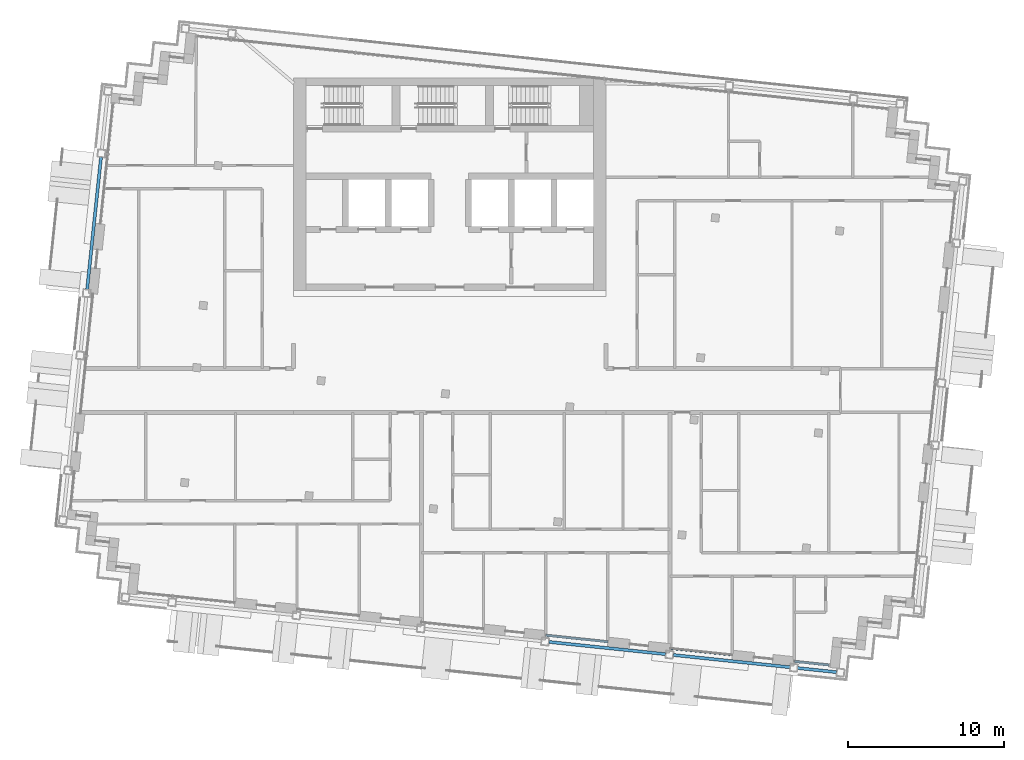
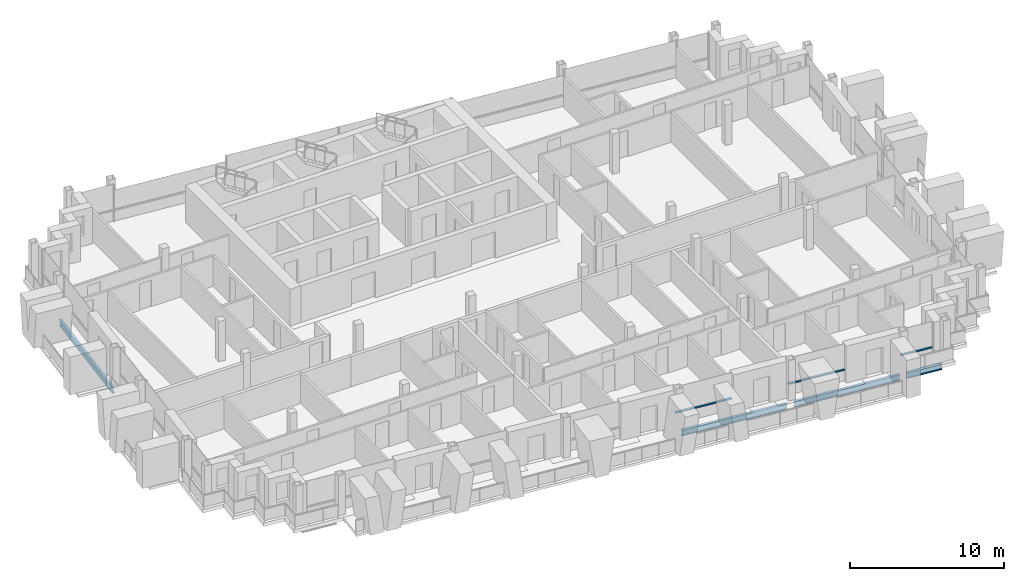
# One storey, part 3 of 17: 4 beams, 3 members, 3 elements without a shape of their own.
"""IFC4 building model written with IfcOpenShell, lengths in metres."""

from ifc_helpers import new_model, si_unit, direction, frame, origin, origin_2d, place, context, subcontext, project, spatial, rectangle, i_section, extrude, material, material_profile, profile_set, type_object, element, aggregate, save


model = new_model("IFC4")

# Units and contexts
model_context = context("Model", 3, precision=1e-05, world=origin(), true_north=direction((0.0, 1.0)))
body_context = subcontext(model_context, "Body", "Model", "MODEL_VIEW")
ifc_project = project(units=[si_unit("LENGTHUNIT", "METRE"), si_unit("AREAUNIT", "SQUARE_METRE"), si_unit("VOLUMEUNIT", "CUBIC_METRE"), si_unit("PLANEANGLEUNIT", "RADIAN"), si_unit("MASSUNIT", "GRAM", prefix="KILO")], contexts=[model_context])

# Site, building, storey
site_placement = place(None, origin())
site = spatial("IfcSite", under=ifc_project, at=site_placement, CompositionType="ELEMENT")
building_placement = place(site_placement, origin())
building = spatial("IfcBuilding", under=site, at=building_placement, Name="Vidyagriha Tower", CompositionType="ELEMENT")
storey_placement = place(building_placement, frame((0.0, 0.0, 269.10009765625)))
storey = spatial("IfcBuildingStorey", under=building, at=storey_placement, Name="L70", CompositionType="ELEMENT", Elevation=269.10009765625)

# Beams
ifc_material_1 = material(Name="Steel ASTM A992 Grade 50", Category="steel")
ifc_material_profile_1 = material_profile(ifc_material_1, i_section(OverallWidth=0.19189453125, OverallDepth=0.46240234375, WebThickness=0.010498046875, FlangeThickness=0.017578125, at=origin_2d()), Name="W18X60")
ifc_profile_set_1 = profile_set([ifc_material_profile_1], Name="Steel ASTM A992 Grade 50")
beam_type = type_object("IfcBeamType", Name="Edge beam W18X60", PredefinedType="SPANDREL", material=ifc_profile_set_1)
for number, where, z_axis, x_axis, name in (
    (1, (6.3486328125, -16.091064453125, -0.51123046875), (0.994522384662, -0.104523807841, 0.0), (0.104523807841, 0.994522384662, 0.0), "st-beam-L70-S05"),
    (2, (14.304931640625, -16.92724609375, -0.51123046875), (0.994522384662, -0.104523807841, 0.0), (0.104523807841, 0.994522384662, 0.0), "st-beam-L70-S06"),
):
    element("IfcBeam", number, at=place(storey_placement, frame(where, z_axis=z_axis, x_axis=x_axis)), inside=storey, type_object=beam_type, Name=name, PredefinedType="SPANDREL", context=body_context, shape_type="SweptSolid", body=[
        extrude(i_section(OverallWidth=0.19189453125, OverallDepth=0.46240234375, WebThickness=0.010498046875, FlangeThickness=0.017578125, at=origin_2d()), origin(), (0.0, 0.0, 1.0), 7.5),
    ])
beam_1_placement = place(storey_placement, frame((22.260986328125, -17.763427734375, -0.51123046875), z_axis=(0.994515615024, -0.104588199498, 0.0), x_axis=(0.104588199498, 0.994515615024, 0.0)))
element("IfcBeam", 3, at=beam_1_placement, inside=storey, type_object=beam_type, Name="st-beam-L70-S07", PredefinedType="SPANDREL", context=body_context, shape_type="SweptSolid", body=[
    extrude(i_section(OverallWidth=0.19189453125, OverallDepth=0.46240234375, WebThickness=0.010498046875, FlangeThickness=0.017578125, at=origin_2d()), origin(), (0.0, 0.0, 1.0), 2.5),
])
beam_2_placement = place(storey_placement, frame((-23.20458984375, 6.4716796875, -0.51123046875), z_axis=(0.104518825829, 0.994522908257, 0.0), x_axis=(-0.994522908257, 0.104518825829, 0.0)))
element("IfcBeam", 4, at=beam_2_placement, inside=storey, type_object=beam_type, Name="st-beam-L70-W11", PredefinedType="SPANDREL", context=body_context, shape_type="SweptSolid", body=[
    extrude(i_section(OverallWidth=0.19189453125, OverallDepth=0.46240234375, WebThickness=0.010498046875, FlangeThickness=0.017578125, at=origin_2d()), origin(), (0.0, 0.0, 1.0), 8.500244140625),
])

# Curtain wall, member
ifc_material_2 = material(Name="Aluminium and glass curtain wall", Category="aluminium")
curtain_wall_type = type_object("IfcCurtainWallType", Name="Dwelling skin unitised curtain wall", PredefinedType="USERDEFINED", material=ifc_material_2)
curtain_wall_1_placement = place(storey_placement, origin())
curtain_wall_1 = element("IfcCurtainWall", 5, at=curtain_wall_1_placement, inside=storey, type_object=curtain_wall_type, Name="CW1 dwelling skin", ObjectType="UNITISED", PredefinedType="USERDEFINED")
ifc_material_3 = material(Name="Aluminium black anodised", Category="aluminium")
ifc_material_profile_2 = material_profile(ifc_material_3, rectangle(XDim=0.159912109375, YDim=0.10009765625, at=origin_2d()), Name="Transom 100x160 black aluminium")
ifc_profile_set_2 = profile_set([ifc_material_profile_2], Name="Aluminium black anodised")
member_type = type_object("IfcMemberType", Name="Transom 100x160 black aluminium", PredefinedType="USERDEFINED", material=ifc_profile_set_2)
member_1_placement = place(storey_placement, frame((6.141845703125, -15.6669921875, 0.89990234375), z_axis=(0.99451982373, -0.104548171712, 0.0), x_axis=(0.104548171712, 0.99451982373, 0.0)))
member_1 = element("IfcMember", 6, at=member_1_placement, type_object=member_type, Name="CW1 transom 1.1", ObjectType="TRANSOM", PredefinedType="USERDEFINED", context=body_context, shape_type="SweptSolid", body=[
    extrude(rectangle(XDim=0.159912109375, YDim=0.10009765625, at=origin_2d()), origin(), (0.0, 0.0, 1.0), 4.000244140625),
])
aggregate(curtain_wall_1, [member_1])

curtain_wall_2_placement = place(storey_placement, origin())
curtain_wall_2 = element("IfcCurtainWall", 7, at=curtain_wall_2_placement, inside=storey, type_object=curtain_wall_type, Name="CW1 dwelling skin", ObjectType="UNITISED", PredefinedType="USERDEFINED")
member_2_placement = place(storey_placement, frame((14.09814453125, -16.50341796875, 0.89990234375), z_axis=(0.99452550138, -0.104494148666, 0.0), x_axis=(0.104494148666, 0.99452550138, 0.0)))
member_2 = element("IfcMember", 8, at=member_2_placement, type_object=member_type, Name="CW1 transom 1.1", ObjectType="TRANSOM", PredefinedType="USERDEFINED", context=body_context, shape_type="SweptSolid", body=[
    extrude(rectangle(XDim=0.159912109375, YDim=0.10009765625, at=origin_2d()), origin(), (0.0, 0.0, 1.0), 4.0),
])
aggregate(curtain_wall_2, [member_2])

curtain_wall_3_placement = place(storey_placement, origin())
curtain_wall_3 = element("IfcCurtainWall", 9, at=curtain_wall_3_placement, inside=storey, type_object=curtain_wall_type, Name="CW1 dwelling skin", ObjectType="UNITISED", PredefinedType="USERDEFINED")
member_3_placement = place(storey_placement, frame((22.05419921875, -17.339599609375, 0.89990234375), z_axis=(0.994530619876, -0.10444542177, 0.0), x_axis=(0.10444542177, 0.994530619876, 0.0)))
member_3 = element("IfcMember", 10, at=member_3_placement, type_object=member_type, Name="CW1 transom 1.1", ObjectType="TRANSOM", PredefinedType="USERDEFINED", context=body_context, shape_type="SweptSolid", body=[
    extrude(rectangle(XDim=0.159912109375, YDim=0.10009765625, at=origin_2d()), origin(), (0.0, 0.0, 1.0), 2.22998046875),
])
aggregate(curtain_wall_3, [member_3])

save(model, "model.ifc")
